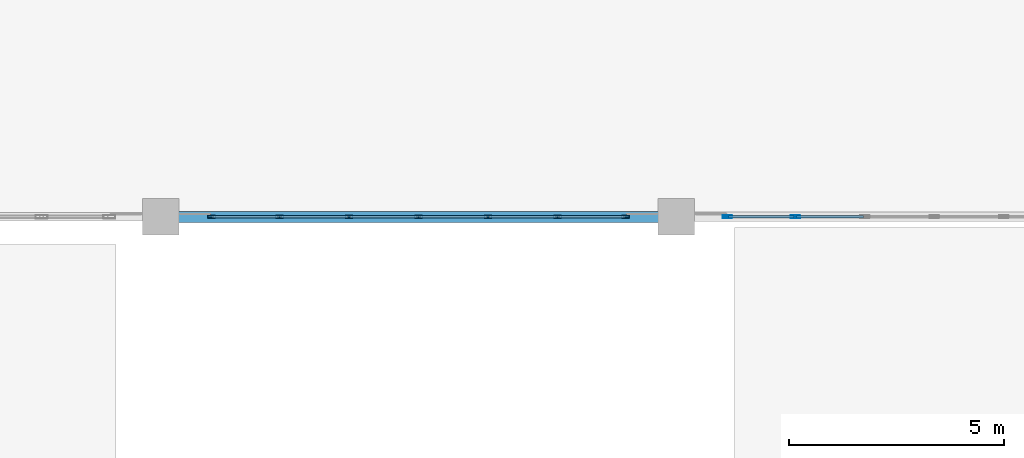
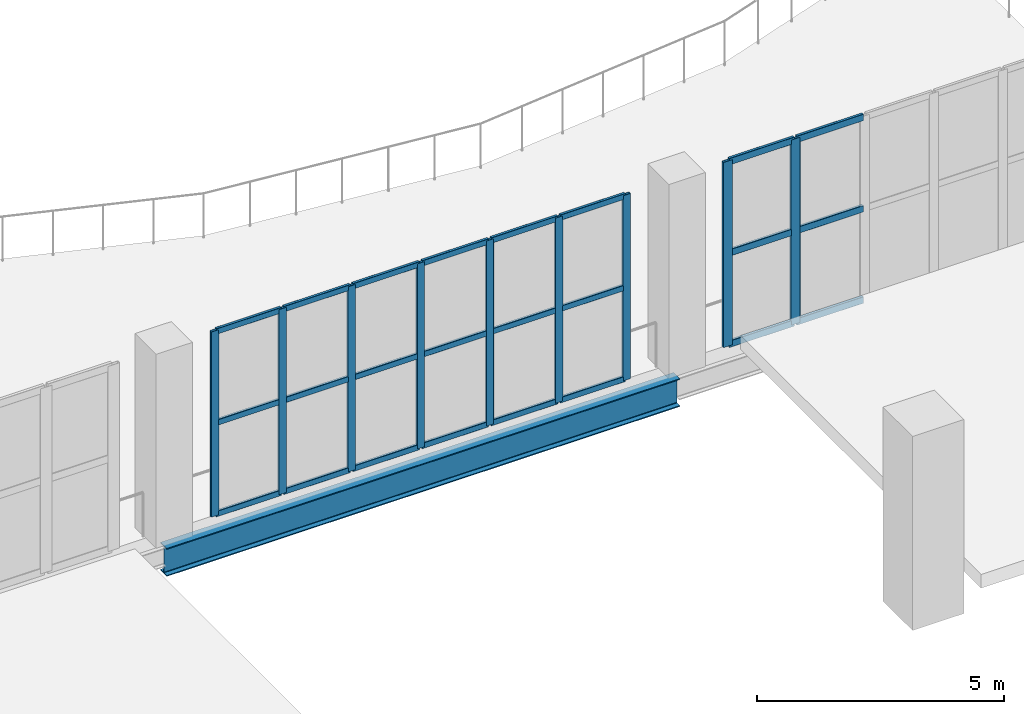
# One storey, part 13 of 49: 33 members, 1 beam, 2 elements without a shape of their own.
"""IFC4 building model written with IfcOpenShell, lengths in metres."""

from ifc_helpers import new_model, si_unit, direction, frame, origin, origin_2d, place, context, subcontext, project, spatial, hollow_rectangle, i_section, extrude, material, layer, layer_set, material_profile, profile_set, type_object, element, aggregate, save


model = new_model("IFC4")

# Units and contexts
model_context = context("Model", 3, precision=1e-05, world=origin(), true_north=direction((0.0, 1.0)))
body_context = subcontext(model_context, "Body", "Model", "MODEL_VIEW")
ifc_project = project(units=[si_unit("LENGTHUNIT", "METRE"), si_unit("AREAUNIT", "SQUARE_METRE"), si_unit("VOLUMEUNIT", "CUBIC_METRE"), si_unit("PLANEANGLEUNIT", "RADIAN"), si_unit("MASSUNIT", "GRAM", prefix="KILO")], contexts=[model_context])

# Site, building, storey
site_placement = place(None, origin())
site = spatial("IfcSite", under=ifc_project, at=site_placement, CompositionType="ELEMENT")
building_placement = place(site_placement, origin())
building = spatial("IfcBuilding", under=site, at=building_placement, Name="Brinegate Civic Arena", CompositionType="ELEMENT")
storey_placement = place(building_placement, frame((0.0, 0.0, 24.60009765625)))
storey = spatial("IfcBuildingStorey", under=building, at=storey_placement, Name="L05", CompositionType="ELEMENT", Elevation=24.60009765625)

# Curtain wall, members
ifc_material_1 = material(Name="Marine grade aluminium", Category="aluminium")
ifc_layer = layer(ifc_material_1, 0.199951171875, Name="Marine grade aluminium")
ifc_layer_set = layer_set([ifc_layer], Name="Marine grade aluminium")
curtain_wall_type = type_object("IfcCurtainWallType", Name="CW-BOWL-GLAZED-01", PredefinedType="USERDEFINED", material=ifc_layer_set)
curtain_wall_1_placement = place(storey_placement, origin())
curtain_wall_1 = element("IfcCurtainWall", 1, at=curtain_wall_1_placement, inside=storey, type_object=curtain_wall_type, Name="Curtain Wall CWA-167", ObjectType="GLAZED CURTAIN WALL", PredefinedType="USERDEFINED")
ifc_material_profile_1 = material_profile(ifc_material_1, hollow_rectangle(XDim=0.06494140625, YDim=0.179931640625, WallThickness=0.0048828125, InnerFilletRadius=0.00390625, OuterFilletRadius=0.008056640625, at=origin_2d()), Name="MUL65X180")
ifc_profile_set_1 = profile_set([ifc_material_profile_1], Name="Marine grade aluminium")
member_type_1 = type_object("IfcMemberType", Name="CW-MULLION-65X180", PredefinedType="MULLION", material=ifc_profile_set_1)
member_1_placement = place(storey_placement, frame((97.18359375, 10.0, 0.0), z_axis=(0.0, 0.0, 1.0), x_axis=(0.0, 1.0, 0.0)))
member_1 = element("IfcMember", 2, at=member_1_placement, type_object=member_type_1, Name="CWA-167 mullion 1", PredefinedType="MULLION", context=body_context, shape_type="SweptSolid", body=[
    extrude(hollow_rectangle(XDim=0.06494140625, YDim=0.179931640625, WallThickness=0.0048828125, InnerFilletRadius=0.00390625, OuterFilletRadius=0.008056640625, at=origin_2d()), origin(), (0.0, 0.0, 1.0), 4.579833984375),
])
member_2_placement = place(storey_placement, frame((98.767333984375, 10.0, 0.0), z_axis=(0.0, 0.0, 1.0), x_axis=(0.0, 1.0, 0.0)))
member_2 = element("IfcMember", 3, at=member_2_placement, type_object=member_type_1, Name="CWA-167 mullion 2", PredefinedType="MULLION", context=body_context, shape_type="SweptSolid", body=[
    extrude(hollow_rectangle(XDim=0.06494140625, YDim=0.179931640625, WallThickness=0.0048828125, InnerFilletRadius=0.00390625, OuterFilletRadius=0.008056640625, at=origin_2d()), origin(), (0.0, 0.0, 1.0), 4.579833984375),
])
member_3_placement = place(storey_placement, frame((100.383544921875, 10.0, 0.0), z_axis=(0.0, 0.0, 1.0), x_axis=(0.0, 1.0, 0.0)))
member_3 = element("IfcMember", 4, at=member_3_placement, type_object=member_type_1, Name="CWA-167 mullion 3", PredefinedType="MULLION", context=body_context, shape_type="SweptSolid", body=[
    extrude(hollow_rectangle(XDim=0.06494140625, YDim=0.179931640625, WallThickness=0.0048828125, InnerFilletRadius=0.00390625, OuterFilletRadius=0.008056640625, at=origin_2d()), origin(), (0.0, 0.0, 1.0), 4.579833984375),
])
member_4_placement = place(storey_placement, frame((102.0, 10.0, 0.0), z_axis=(0.0, 0.0, 1.0), x_axis=(0.0, 1.0, 0.0)))
member_4 = element("IfcMember", 5, at=member_4_placement, type_object=member_type_1, Name="CWA-167 mullion 4", PredefinedType="MULLION", context=body_context, shape_type="SweptSolid", body=[
    extrude(hollow_rectangle(XDim=0.06494140625, YDim=0.179931640625, WallThickness=0.0048828125, InnerFilletRadius=0.00390625, OuterFilletRadius=0.008056640625, at=origin_2d()), origin(), (0.0, 0.0, 1.0), 4.579833984375),
])
member_5_placement = place(storey_placement, frame((103.616455078125, 10.0, 0.0), z_axis=(0.0, 0.0, 1.0), x_axis=(0.0, 1.0, 0.0)))
member_5 = element("IfcMember", 6, at=member_5_placement, type_object=member_type_1, Name="CWA-167 mullion 5", PredefinedType="MULLION", context=body_context, shape_type="SweptSolid", body=[
    extrude(hollow_rectangle(XDim=0.06494140625, YDim=0.179931640625, WallThickness=0.0048828125, InnerFilletRadius=0.00390625, OuterFilletRadius=0.008056640625, at=origin_2d()), origin(), (0.0, 0.0, 1.0), 4.579833984375),
])
member_6_placement = place(storey_placement, frame((105.232666015625, 10.0, 0.0), z_axis=(0.0, 0.0, 1.0), x_axis=(0.0, 1.0, 0.0)))
member_6 = element("IfcMember", 7, at=member_6_placement, type_object=member_type_1, Name="CWA-167 mullion 6", PredefinedType="MULLION", context=body_context, shape_type="SweptSolid", body=[
    extrude(hollow_rectangle(XDim=0.06494140625, YDim=0.179931640625, WallThickness=0.0048828125, InnerFilletRadius=0.00390625, OuterFilletRadius=0.008056640625, at=origin_2d()), origin(), (0.0, 0.0, 1.0), 4.579833984375),
])
member_7_placement = place(storey_placement, frame((106.81640625, 10.0, 0.0), z_axis=(0.0, 0.0, 1.0), x_axis=(0.0, 1.0, 0.0)))
member_7 = element("IfcMember", 8, at=member_7_placement, type_object=member_type_1, Name="CWA-167 mullion 7", PredefinedType="MULLION", context=body_context, shape_type="SweptSolid", body=[
    extrude(hollow_rectangle(XDim=0.06494140625, YDim=0.179931640625, WallThickness=0.0048828125, InnerFilletRadius=0.00390625, OuterFilletRadius=0.008056640625, at=origin_2d()), origin(), (0.0, 0.0, 1.0), 4.579833984375),
])

curtain_wall_2_placement = place(storey_placement, origin())
curtain_wall_2 = element("IfcCurtainWall", 9, at=curtain_wall_2_placement, inside=storey, type_object=curtain_wall_type, Name="Curtain Wall CWA-168", ObjectType="GLAZED CURTAIN WALL", PredefinedType="USERDEFINED")
ifc_material_profile_2 = material_profile(ifc_material_1, hollow_rectangle(XDim=0.06494140625, YDim=0.219970703125, WallThickness=0.006103515625, InnerFilletRadius=0.00390625, OuterFilletRadius=0.008056640625, at=origin_2d()), Name="MUL65X220")
ifc_profile_set_2 = profile_set([ifc_material_profile_2], Name="Marine grade aluminium")
member_type_2 = type_object("IfcMemberType", Name="CW-MULLION-65X220", PredefinedType="MULLION", material=ifc_profile_set_2)
member_8_placement = place(storey_placement, frame((109.18359375, 10.0, 0.0), z_axis=(0.0, 0.0, 1.0), x_axis=(0.0, 1.0, 0.0)))
member_8 = element("IfcMember", 10, at=member_8_placement, type_object=member_type_2, Name="CWA-168 mullion 1", PredefinedType="MULLION", context=body_context, shape_type="SweptSolid", body=[
    extrude(hollow_rectangle(XDim=0.06494140625, YDim=0.219970703125, WallThickness=0.006103515625, InnerFilletRadius=0.00390625, OuterFilletRadius=0.008056640625, at=origin_2d()), origin(), (0.0, 0.0, 1.0), 4.579833984375),
])
member_9_placement = place(storey_placement, frame((110.767333984375, 10.0, 0.0), z_axis=(0.0, 0.0, 1.0), x_axis=(0.0, 1.0, 0.0)))
member_9 = element("IfcMember", 11, at=member_9_placement, type_object=member_type_2, Name="CWA-168 mullion 2", PredefinedType="MULLION", context=body_context, shape_type="SweptSolid", body=[
    extrude(hollow_rectangle(XDim=0.06494140625, YDim=0.219970703125, WallThickness=0.006103515625, InnerFilletRadius=0.00390625, OuterFilletRadius=0.008056640625, at=origin_2d()), origin(), (0.0, 0.0, 1.0), 4.579833984375),
])

# Member
ifc_material_profile_3 = material_profile(ifc_material_1, hollow_rectangle(XDim=0.06494140625, YDim=0.139892578125, WallThickness=0.0048828125, InnerFilletRadius=0.00390625, OuterFilletRadius=0.008056640625, at=origin_2d()), Name="TRN65X140")
ifc_profile_set_3 = profile_set([ifc_material_profile_3], Name="Marine grade aluminium")
member_type_3 = type_object("IfcMemberType", Name="CW-TRANSOM-65X140", PredefinedType="USERDEFINED", material=ifc_profile_set_3)
member_10_placement = place(storey_placement, frame((97.216064453125, 10.0, 0.032470703125), z_axis=(1.0, 0.0, 0.0), x_axis=(0.0, 1.0, 0.0)))
member_10 = element("IfcMember", 12, at=member_10_placement, type_object=member_type_3, Name="CWA-167 transom 1.1", ObjectType="TRANSOM", PredefinedType="USERDEFINED", context=body_context, shape_type="SweptSolid", body=[
    extrude(hollow_rectangle(XDim=0.06494140625, YDim=0.139892578125, WallThickness=0.0048828125, InnerFilletRadius=0.00390625, OuterFilletRadius=0.008056640625, at=origin_2d()), origin(), (0.0, 0.0, 1.0), 1.518798828125),
])

member_11_placement = place(storey_placement, frame((97.216064453125, 10.0, 2.289794921875), z_axis=(1.0, 0.0, 0.0), x_axis=(0.0, 1.0, 0.0)))
member_11 = element("IfcMember", 13, at=member_11_placement, type_object=member_type_3, Name="CWA-167 transom 1.2", ObjectType="TRANSOM", PredefinedType="USERDEFINED", context=body_context, shape_type="SweptSolid", body=[
    extrude(hollow_rectangle(XDim=0.06494140625, YDim=0.139892578125, WallThickness=0.0048828125, InnerFilletRadius=0.00390625, OuterFilletRadius=0.008056640625, at=origin_2d()), origin(), (0.0, 0.0, 1.0), 1.518798828125),
])

member_12_placement = place(storey_placement, frame((97.216064453125, 10.0, 4.54736328125), z_axis=(1.0, 0.0, 0.0), x_axis=(0.0, 1.0, 0.0)))
member_12 = element("IfcMember", 14, at=member_12_placement, type_object=member_type_3, Name="CWA-167 transom 1.3", ObjectType="TRANSOM", PredefinedType="USERDEFINED", context=body_context, shape_type="SweptSolid", body=[
    extrude(hollow_rectangle(XDim=0.06494140625, YDim=0.139892578125, WallThickness=0.0048828125, InnerFilletRadius=0.00390625, OuterFilletRadius=0.008056640625, at=origin_2d()), origin(), (0.0, 0.0, 1.0), 1.518798828125),
])

member_13_placement = place(storey_placement, frame((98.7998046875, 10.0, 0.032470703125), z_axis=(1.0, 0.0, 0.0), x_axis=(0.0, 1.0, 0.0)))
member_13 = element("IfcMember", 15, at=member_13_placement, type_object=member_type_3, Name="CWA-167 transom 2.1", ObjectType="TRANSOM", PredefinedType="USERDEFINED", context=body_context, shape_type="SweptSolid", body=[
    extrude(hollow_rectangle(XDim=0.06494140625, YDim=0.139892578125, WallThickness=0.0048828125, InnerFilletRadius=0.00390625, OuterFilletRadius=0.008056640625, at=origin_2d()), origin(), (0.0, 0.0, 1.0), 1.55126953125),
])

member_14_placement = place(storey_placement, frame((98.7998046875, 10.0, 2.289794921875), z_axis=(1.0, 0.0, 0.0), x_axis=(0.0, 1.0, 0.0)))
member_14 = element("IfcMember", 16, at=member_14_placement, type_object=member_type_3, Name="CWA-167 transom 2.2", ObjectType="TRANSOM", PredefinedType="USERDEFINED", context=body_context, shape_type="SweptSolid", body=[
    extrude(hollow_rectangle(XDim=0.06494140625, YDim=0.139892578125, WallThickness=0.0048828125, InnerFilletRadius=0.00390625, OuterFilletRadius=0.008056640625, at=origin_2d()), origin(), (0.0, 0.0, 1.0), 1.55126953125),
])

member_15_placement = place(storey_placement, frame((98.7998046875, 10.0, 4.54736328125), z_axis=(1.0, 0.0, 0.0), x_axis=(0.0, 1.0, 0.0)))
member_15 = element("IfcMember", 17, at=member_15_placement, type_object=member_type_3, Name="CWA-167 transom 2.3", ObjectType="TRANSOM", PredefinedType="USERDEFINED", context=body_context, shape_type="SweptSolid", body=[
    extrude(hollow_rectangle(XDim=0.06494140625, YDim=0.139892578125, WallThickness=0.0048828125, InnerFilletRadius=0.00390625, OuterFilletRadius=0.008056640625, at=origin_2d()), origin(), (0.0, 0.0, 1.0), 1.55126953125),
])

member_16_placement = place(storey_placement, frame((100.416259765625, 10.0, 0.032470703125), z_axis=(1.0, 0.0, 0.0), x_axis=(0.0, 1.0, 0.0)))
member_16 = element("IfcMember", 18, at=member_16_placement, type_object=member_type_3, Name="CWA-167 transom 3.1", ObjectType="TRANSOM", PredefinedType="USERDEFINED", context=body_context, shape_type="SweptSolid", body=[
    extrude(hollow_rectangle(XDim=0.06494140625, YDim=0.139892578125, WallThickness=0.0048828125, InnerFilletRadius=0.00390625, OuterFilletRadius=0.008056640625, at=origin_2d()), origin(), (0.0, 0.0, 1.0), 1.55126953125),
])

member_17_placement = place(storey_placement, frame((100.416259765625, 10.0, 2.289794921875), z_axis=(1.0, 0.0, 0.0), x_axis=(0.0, 1.0, 0.0)))
member_17 = element("IfcMember", 19, at=member_17_placement, type_object=member_type_3, Name="CWA-167 transom 3.2", ObjectType="TRANSOM", PredefinedType="USERDEFINED", context=body_context, shape_type="SweptSolid", body=[
    extrude(hollow_rectangle(XDim=0.06494140625, YDim=0.139892578125, WallThickness=0.0048828125, InnerFilletRadius=0.00390625, OuterFilletRadius=0.008056640625, at=origin_2d()), origin(), (0.0, 0.0, 1.0), 1.55126953125),
])

member_18_placement = place(storey_placement, frame((100.416259765625, 10.0, 4.54736328125), z_axis=(1.0, 0.0, 0.0), x_axis=(0.0, 1.0, 0.0)))
member_18 = element("IfcMember", 20, at=member_18_placement, type_object=member_type_3, Name="CWA-167 transom 3.3", ObjectType="TRANSOM", PredefinedType="USERDEFINED", context=body_context, shape_type="SweptSolid", body=[
    extrude(hollow_rectangle(XDim=0.06494140625, YDim=0.139892578125, WallThickness=0.0048828125, InnerFilletRadius=0.00390625, OuterFilletRadius=0.008056640625, at=origin_2d()), origin(), (0.0, 0.0, 1.0), 1.55126953125),
])

member_19_placement = place(storey_placement, frame((102.032470703125, 10.0, 0.032470703125), z_axis=(1.0, 0.0, 0.0), x_axis=(0.0, 1.0, 0.0)))
member_19 = element("IfcMember", 21, at=member_19_placement, type_object=member_type_3, Name="CWA-167 transom 4.1", ObjectType="TRANSOM", PredefinedType="USERDEFINED", context=body_context, shape_type="SweptSolid", body=[
    extrude(hollow_rectangle(XDim=0.06494140625, YDim=0.139892578125, WallThickness=0.0048828125, InnerFilletRadius=0.00390625, OuterFilletRadius=0.008056640625, at=origin_2d()), origin(), (0.0, 0.0, 1.0), 1.55126953125),
])

member_20_placement = place(storey_placement, frame((102.032470703125, 10.0, 2.289794921875), z_axis=(1.0, 0.0, 0.0), x_axis=(0.0, 1.0, 0.0)))
member_20 = element("IfcMember", 22, at=member_20_placement, type_object=member_type_3, Name="CWA-167 transom 4.2", ObjectType="TRANSOM", PredefinedType="USERDEFINED", context=body_context, shape_type="SweptSolid", body=[
    extrude(hollow_rectangle(XDim=0.06494140625, YDim=0.139892578125, WallThickness=0.0048828125, InnerFilletRadius=0.00390625, OuterFilletRadius=0.008056640625, at=origin_2d()), origin(), (0.0, 0.0, 1.0), 1.55126953125),
])

member_21_placement = place(storey_placement, frame((102.032470703125, 10.0, 4.54736328125), z_axis=(1.0, 0.0, 0.0), x_axis=(0.0, 1.0, 0.0)))
member_21 = element("IfcMember", 23, at=member_21_placement, type_object=member_type_3, Name="CWA-167 transom 4.3", ObjectType="TRANSOM", PredefinedType="USERDEFINED", context=body_context, shape_type="SweptSolid", body=[
    extrude(hollow_rectangle(XDim=0.06494140625, YDim=0.139892578125, WallThickness=0.0048828125, InnerFilletRadius=0.00390625, OuterFilletRadius=0.008056640625, at=origin_2d()), origin(), (0.0, 0.0, 1.0), 1.55126953125),
])

member_22_placement = place(storey_placement, frame((103.64892578125, 10.0, 0.032470703125), z_axis=(1.0, 0.0, 0.0), x_axis=(0.0, 1.0, 0.0)))
member_22 = element("IfcMember", 24, at=member_22_placement, type_object=member_type_3, Name="CWA-167 transom 5.1", ObjectType="TRANSOM", PredefinedType="USERDEFINED", context=body_context, shape_type="SweptSolid", body=[
    extrude(hollow_rectangle(XDim=0.06494140625, YDim=0.139892578125, WallThickness=0.0048828125, InnerFilletRadius=0.00390625, OuterFilletRadius=0.008056640625, at=origin_2d()), origin(), (0.0, 0.0, 1.0), 1.55126953125),
])

member_23_placement = place(storey_placement, frame((103.64892578125, 10.0, 2.289794921875), z_axis=(1.0, 0.0, 0.0), x_axis=(0.0, 1.0, 0.0)))
member_23 = element("IfcMember", 25, at=member_23_placement, type_object=member_type_3, Name="CWA-167 transom 5.2", ObjectType="TRANSOM", PredefinedType="USERDEFINED", context=body_context, shape_type="SweptSolid", body=[
    extrude(hollow_rectangle(XDim=0.06494140625, YDim=0.139892578125, WallThickness=0.0048828125, InnerFilletRadius=0.00390625, OuterFilletRadius=0.008056640625, at=origin_2d()), origin(), (0.0, 0.0, 1.0), 1.55126953125),
])

member_24_placement = place(storey_placement, frame((103.64892578125, 10.0, 4.54736328125), z_axis=(1.0, 0.0, 0.0), x_axis=(0.0, 1.0, 0.0)))
member_24 = element("IfcMember", 26, at=member_24_placement, type_object=member_type_3, Name="CWA-167 transom 5.3", ObjectType="TRANSOM", PredefinedType="USERDEFINED", context=body_context, shape_type="SweptSolid", body=[
    extrude(hollow_rectangle(XDim=0.06494140625, YDim=0.139892578125, WallThickness=0.0048828125, InnerFilletRadius=0.00390625, OuterFilletRadius=0.008056640625, at=origin_2d()), origin(), (0.0, 0.0, 1.0), 1.55126953125),
])

member_25_placement = place(storey_placement, frame((105.26513671875, 10.0, 0.032470703125), z_axis=(1.0, 0.0, 0.0), x_axis=(0.0, 1.0, 0.0)))
member_25 = element("IfcMember", 27, at=member_25_placement, type_object=member_type_3, Name="CWA-167 transom 6.1", ObjectType="TRANSOM", PredefinedType="USERDEFINED", context=body_context, shape_type="SweptSolid", body=[
    extrude(hollow_rectangle(XDim=0.06494140625, YDim=0.139892578125, WallThickness=0.0048828125, InnerFilletRadius=0.00390625, OuterFilletRadius=0.008056640625, at=origin_2d()), origin(), (0.0, 0.0, 1.0), 1.518798828125),
])

member_26_placement = place(storey_placement, frame((105.26513671875, 10.0, 2.289794921875), z_axis=(1.0, 0.0, 0.0), x_axis=(0.0, 1.0, 0.0)))
member_26 = element("IfcMember", 28, at=member_26_placement, type_object=member_type_3, Name="CWA-167 transom 6.2", ObjectType="TRANSOM", PredefinedType="USERDEFINED", context=body_context, shape_type="SweptSolid", body=[
    extrude(hollow_rectangle(XDim=0.06494140625, YDim=0.139892578125, WallThickness=0.0048828125, InnerFilletRadius=0.00390625, OuterFilletRadius=0.008056640625, at=origin_2d()), origin(), (0.0, 0.0, 1.0), 1.518798828125),
])

member_27_placement = place(storey_placement, frame((105.26513671875, 10.0, 4.54736328125), z_axis=(1.0, 0.0, 0.0), x_axis=(0.0, 1.0, 0.0)))
member_27 = element("IfcMember", 29, at=member_27_placement, type_object=member_type_3, Name="CWA-167 transom 6.3", ObjectType="TRANSOM", PredefinedType="USERDEFINED", context=body_context, shape_type="SweptSolid", body=[
    extrude(hollow_rectangle(XDim=0.06494140625, YDim=0.139892578125, WallThickness=0.0048828125, InnerFilletRadius=0.00390625, OuterFilletRadius=0.008056640625, at=origin_2d()), origin(), (0.0, 0.0, 1.0), 1.518798828125),
])

aggregate(curtain_wall_1, [member_1, member_2, member_3, member_4, member_5, member_6, member_7, member_10, member_11, member_12, member_13, member_14, member_15, member_16, member_17, member_18, member_19, member_20, member_21, member_22, member_23, member_24, member_25, member_26, member_27])

ifc_material_profile_4 = material_profile(ifc_material_1, hollow_rectangle(XDim=0.06494140625, YDim=0.1650390625, WallThickness=0.0048828125, InnerFilletRadius=0.00390625, OuterFilletRadius=0.008056640625, at=origin_2d()), Name="TRN65X165")
ifc_profile_set_4 = profile_set([ifc_material_profile_4], Name="Marine grade aluminium")
member_type_4 = type_object("IfcMemberType", Name="CW-TRANSOM-65X165", PredefinedType="USERDEFINED", material=ifc_profile_set_4)
member_28_placement = place(storey_placement, frame((109.216064453125, 10.0, 0.032470703125), z_axis=(1.0, 0.0, 0.0), x_axis=(0.0, 1.0, 0.0)))
member_28 = element("IfcMember", 30, at=member_28_placement, type_object=member_type_4, Name="CWA-168 transom 1.1", ObjectType="TRANSOM", PredefinedType="USERDEFINED", context=body_context, shape_type="SweptSolid", body=[
    extrude(hollow_rectangle(XDim=0.06494140625, YDim=0.1650390625, WallThickness=0.0048828125, InnerFilletRadius=0.00390625, OuterFilletRadius=0.008056640625, at=origin_2d()), origin(), (0.0, 0.0, 1.0), 1.518798828125),
])

member_29_placement = place(storey_placement, frame((109.216064453125, 10.0, 2.289794921875), z_axis=(1.0, 0.0, 0.0), x_axis=(0.0, 1.0, 0.0)))
member_29 = element("IfcMember", 31, at=member_29_placement, type_object=member_type_4, Name="CWA-168 transom 1.2", ObjectType="TRANSOM", PredefinedType="USERDEFINED", context=body_context, shape_type="SweptSolid", body=[
    extrude(hollow_rectangle(XDim=0.06494140625, YDim=0.1650390625, WallThickness=0.0048828125, InnerFilletRadius=0.00390625, OuterFilletRadius=0.008056640625, at=origin_2d()), origin(), (0.0, 0.0, 1.0), 1.518798828125),
])

member_30_placement = place(storey_placement, frame((109.216064453125, 10.0, 4.54736328125), z_axis=(1.0, 0.0, 0.0), x_axis=(0.0, 1.0, 0.0)))
member_30 = element("IfcMember", 32, at=member_30_placement, type_object=member_type_4, Name="CWA-168 transom 1.3", ObjectType="TRANSOM", PredefinedType="USERDEFINED", context=body_context, shape_type="SweptSolid", body=[
    extrude(hollow_rectangle(XDim=0.06494140625, YDim=0.1650390625, WallThickness=0.0048828125, InnerFilletRadius=0.00390625, OuterFilletRadius=0.008056640625, at=origin_2d()), origin(), (0.0, 0.0, 1.0), 1.518798828125),
])

member_31_placement = place(storey_placement, frame((110.7998046875, 10.0, 0.032470703125), z_axis=(1.0, 0.0, 0.0), x_axis=(0.0, 1.0, 0.0)))
member_31 = element("IfcMember", 33, at=member_31_placement, type_object=member_type_4, Name="CWA-168 transom 2.1", ObjectType="TRANSOM", PredefinedType="USERDEFINED", context=body_context, shape_type="SweptSolid", body=[
    extrude(hollow_rectangle(XDim=0.06494140625, YDim=0.1650390625, WallThickness=0.0048828125, InnerFilletRadius=0.00390625, OuterFilletRadius=0.008056640625, at=origin_2d()), origin(), (0.0, 0.0, 1.0), 1.55126953125),
])

member_32_placement = place(storey_placement, frame((110.7998046875, 10.0, 2.289794921875), z_axis=(1.0, 0.0, 0.0), x_axis=(0.0, 1.0, 0.0)))
member_32 = element("IfcMember", 34, at=member_32_placement, type_object=member_type_4, Name="CWA-168 transom 2.2", ObjectType="TRANSOM", PredefinedType="USERDEFINED", context=body_context, shape_type="SweptSolid", body=[
    extrude(hollow_rectangle(XDim=0.06494140625, YDim=0.1650390625, WallThickness=0.0048828125, InnerFilletRadius=0.00390625, OuterFilletRadius=0.008056640625, at=origin_2d()), origin(), (0.0, 0.0, 1.0), 1.55126953125),
])

member_33_placement = place(storey_placement, frame((110.7998046875, 10.0, 4.54736328125), z_axis=(1.0, 0.0, 0.0), x_axis=(0.0, 1.0, 0.0)))
member_33 = element("IfcMember", 35, at=member_33_placement, type_object=member_type_4, Name="CWA-168 transom 2.3", ObjectType="TRANSOM", PredefinedType="USERDEFINED", context=body_context, shape_type="SweptSolid", body=[
    extrude(hollow_rectangle(XDim=0.06494140625, YDim=0.1650390625, WallThickness=0.0048828125, InnerFilletRadius=0.00390625, OuterFilletRadius=0.008056640625, at=origin_2d()), origin(), (0.0, 0.0, 1.0), 1.55126953125),
])

aggregate(curtain_wall_2, [member_8, member_9, member_28, member_29, member_30, member_31, member_32, member_33])

# Beam
ifc_material_2 = material(Name="Steel S355", Category="steel")
ifc_material_profile_5 = material_profile(ifc_material_2, i_section(OverallWidth=0.256103515625, OverallDepth=0.693115234375, WebThickness=0.014892578125, FlangeThickness=0.02392578125, FilletRadius=0.01806640625, at=origin_2d()), Name="W690X170")
ifc_profile_set_5 = profile_set([ifc_material_profile_5], Name="Steel S355")
beam_type = type_object("IfcBeamType", Name="SPANDREL-W690X170", PredefinedType="SPANDREL", material=ifc_profile_set_5)
beam_placement = place(storey_placement, frame((96.0, 10.0, -0.676025390625), z_axis=(1.0, 0.0, 0.0), x_axis=(0.0, 1.0, 0.0)))
element("IfcBeam", 36, at=beam_placement, inside=storey, type_object=beam_type, Name="Floor Girder BM-L05-GX-08-01", PredefinedType="SPANDREL", context=body_context, shape_type="SweptSolid", body=[
    extrude(i_section(OverallWidth=0.256103515625, OverallDepth=0.693115234375, WebThickness=0.014892578125, FlangeThickness=0.02392578125, FilletRadius=0.01806640625, at=origin_2d()), origin(), (0.0, 0.0, 1.0), 12.0),
])

save(model, "model.ifc")
